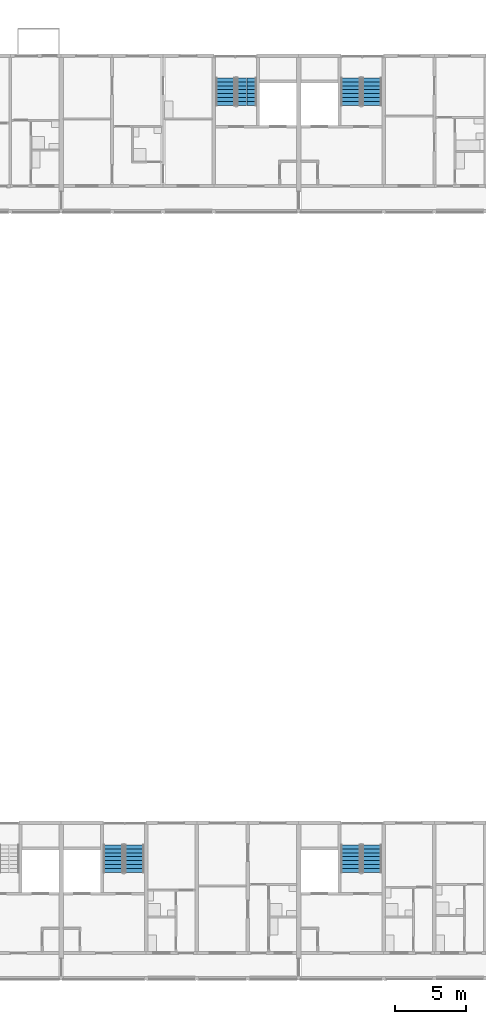
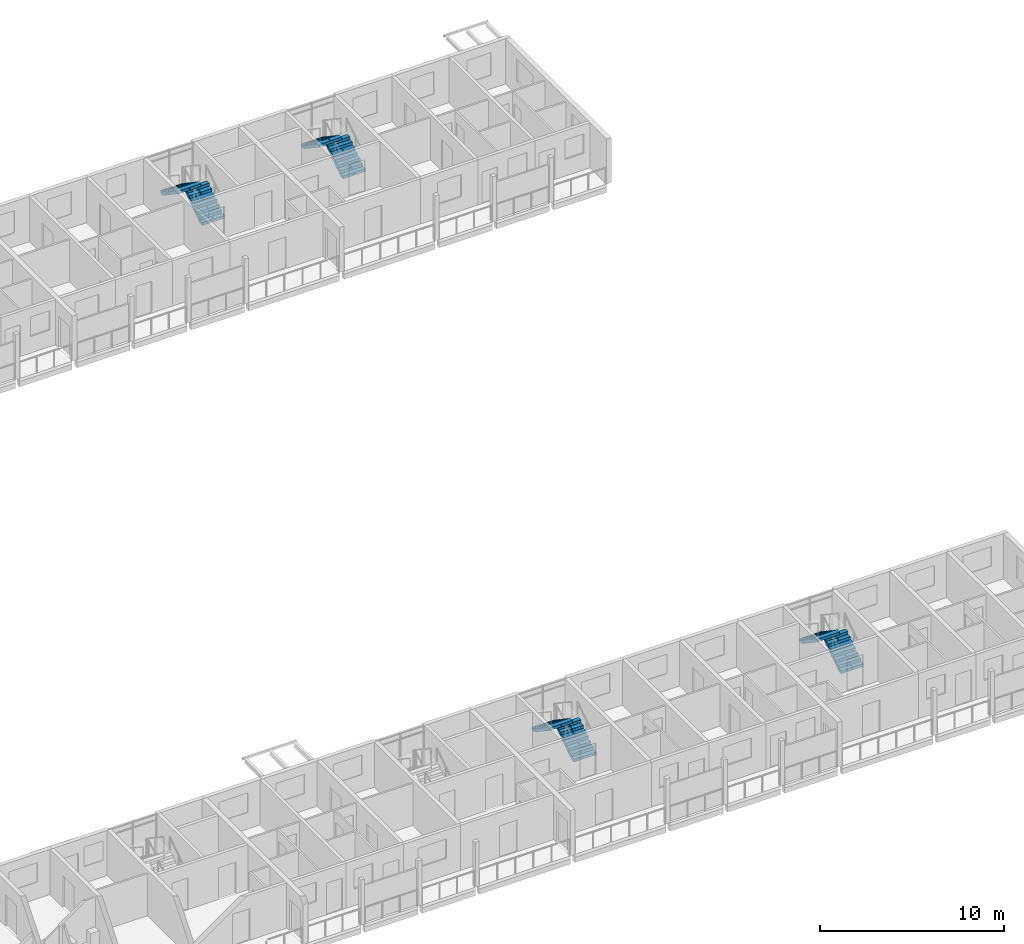
# One storey, part 63 of 98: 8 stair flights, 4 elements without a shape of their own.
"""IFC4 building model written with IfcOpenShell, lengths in metres."""

from ifc_helpers import new_model, si_unit, direction, frame, origin, place, context, subcontext, project, spatial, polyline, outline, extrude, material, type_object, element, aggregate, save


model = new_model("IFC4")

# Units and contexts
model_context = context("Model", 3, precision=1e-05, world=origin(), true_north=direction((0.0, 1.0)))
body_context = subcontext(model_context, "Body", "Model", "MODEL_VIEW")
ifc_project = project(units=[si_unit("LENGTHUNIT", "METRE"), si_unit("AREAUNIT", "SQUARE_METRE"), si_unit("VOLUMEUNIT", "CUBIC_METRE"), si_unit("PLANEANGLEUNIT", "RADIAN"), si_unit("MASSUNIT", "GRAM", prefix="KILO")], contexts=[model_context])

# Site, building, storey
site_placement = place(None, origin())
site = spatial("IfcSite", under=ifc_project, at=site_placement, CompositionType="ELEMENT")
building_placement = place(site_placement, origin())
building = spatial("IfcBuilding", under=site, at=building_placement, Name="Ridgestep Commons", CompositionType="ELEMENT")
storey_placement = place(building_placement, frame((0.0, 0.0, 12.0)))
storey = spatial("IfcBuildingStorey", under=building, at=storey_placement, Name="L04", CompositionType="ELEMENT", Elevation=12.0)

# Stair, stair flights
ifc_material_1 = material(Name="Precast concrete C40/50", Category="concrete")
stair_type = type_object("IfcStairType", Name="Escape stair 1400", PredefinedType="HALF_TURN_STAIR", material=ifc_material_1)
stair_1_placement = place(storey_placement, origin())
stair_1 = element("IfcStair", 1, at=stair_1_placement, inside=storey, type_object=stair_type, Name="L04 Escape stair C5C", PredefinedType="HALF_TURN_STAIR")
ifc_material_2 = material(Name="Precast concrete C40/50", Category="concrete")
stair_flight_type = type_object("IfcStairFlightType", Name="Stair flight 1400", PredefinedType="STRAIGHT", material=ifc_material_2)
stair_flight_1_placement = place(storey_placement, frame((227.125, 73.60009765625, 0.0), z_axis=(0.0, 0.0, 1.0), x_axis=(0.0, 1.0, 0.0)))
stair_flight_1 = element("IfcStairFlight", 2, at=stair_flight_1_placement, type_object=stair_flight_type, Name="C5C flight 1", NumberOfRisers=8, NumberOfTreads=7, PredefinedType="STRAIGHT", RiserHeight=0.1875, TreadLength=0.28, context=body_context, shape_type="SweptSolid", body=[
    extrude(outline(polyline([(0.0, 0.0), (0.0, 0.1875), (0.280029296875, 0.1875), (0.280029296875, 0.375), (0.56005859375, 0.375), (0.56005859375, 0.5625), (0.840087890625, 0.5625), (0.840087890625, 0.75), (1.1201171875, 0.75), (1.1201171875, 0.9375), (1.39990234375, 0.9375), (1.39990234375, 1.125), (1.679931640625, 1.125), (1.679931640625, 1.3125), (1.9599609375, 1.3125), (1.9599609375, 1.5), (1.9599609375, 1.132080078125), (0.26953125, 0.0), (0.0, 0.0)])), frame((0.0, 0.699951171875, 0.0), z_axis=(0.0, -1.0, 0.0), x_axis=(1.0, 0.0, 0.0)), (0.0, 0.0, 1.0), 0.695068359375),
    extrude(outline(polyline([(0.0, 0.0), (0.0, 0.1875), (0.280029296875, 0.1875), (0.280029296875, 0.375), (0.56005859375, 0.375), (0.56005859375, 0.5625), (0.840087890625, 0.5625), (0.840087890625, 0.75), (1.1201171875, 0.75), (1.1201171875, 0.9375), (1.39990234375, 0.9375), (1.39990234375, 1.125), (1.679931640625, 1.125), (1.679931640625, 1.3125), (1.9599609375, 1.3125), (1.9599609375, 1.5), (1.9599609375, 1.132080078125), (0.26953125, 0.0), (0.0, 0.0)])), frame((0.0, -0.0048828125, 0.0), z_axis=(0.0, -1.0, 0.0), x_axis=(1.0, 0.0, 0.0)), (0.0, 0.0, 1.0), 0.695068359375),
])
stair_flight_2_placement = place(storey_placement, frame((225.625, 75.56005859375, 1.5), z_axis=(0.0, 0.0, 1.0), x_axis=(0.0, -1.0, 0.0)))
stair_flight_2 = element("IfcStairFlight", 3, at=stair_flight_2_placement, type_object=stair_flight_type, Name="C5C flight 2", NumberOfRisers=8, NumberOfTreads=7, PredefinedType="STRAIGHT", RiserHeight=0.1875, TreadLength=0.28, context=body_context, shape_type="SweptSolid", body=[
    extrude(outline(polyline([(0.0, 0.0), (0.0, 0.1875), (0.280029296875, 0.1875), (0.280029296875, 0.375), (0.56005859375, 0.375), (0.56005859375, 0.5625), (0.840087890625, 0.5625), (0.840087890625, 0.75), (1.1201171875, 0.75), (1.1201171875, 0.9375), (1.39990234375, 0.9375), (1.39990234375, 1.125), (1.679931640625, 1.125), (1.679931640625, 1.3125), (1.9599609375, 1.3125), (1.9599609375, 1.5), (1.9599609375, 1.132080078125), (0.26953125, 0.0), (0.0, 0.0)])), frame((0.0, 0.699951171875, 0.0), z_axis=(0.0, -1.0, 0.0), x_axis=(1.0, 0.0, 0.0)), (0.0, 0.0, 1.0), 0.695068359375),
    extrude(outline(polyline([(0.0, 0.0), (0.0, 0.1875), (0.280029296875, 0.1875), (0.280029296875, 0.375), (0.56005859375, 0.375), (0.56005859375, 0.5625), (0.840087890625, 0.5625), (0.840087890625, 0.75), (1.1201171875, 0.75), (1.1201171875, 0.9375), (1.39990234375, 0.9375), (1.39990234375, 1.125), (1.679931640625, 1.125), (1.679931640625, 1.3125), (1.9599609375, 1.3125), (1.9599609375, 1.5), (1.9599609375, 1.132080078125), (0.26953125, 0.0), (0.0, 0.0)])), frame((0.0, -0.0048828125, 0.0), z_axis=(0.0, -1.0, 0.0), x_axis=(1.0, 0.0, 0.0)), (0.0, 0.0, 1.0), 0.695068359375),
])
aggregate(stair_1, [stair_flight_1, stair_flight_2])

stair_2_placement = place(storey_placement, origin())
stair_2 = element("IfcStair", 4, at=stair_2_placement, inside=storey, type_object=stair_type, Name="L04 Escape stair C6C", PredefinedType="HALF_TURN_STAIR")
stair_flight_3_placement = place(storey_placement, frame((235.97509765625, 73.60009765625, 0.0), z_axis=(0.0, 0.0, 1.0), x_axis=(0.0, 1.0, 0.0)))
stair_flight_3 = element("IfcStairFlight", 5, at=stair_flight_3_placement, type_object=stair_flight_type, Name="C6C flight 1", NumberOfRisers=8, NumberOfTreads=7, PredefinedType="STRAIGHT", RiserHeight=0.1875, TreadLength=0.28, context=body_context, shape_type="SweptSolid", body=[
    extrude(outline(polyline([(0.0, 0.0), (0.0, 0.1875), (0.280029296875, 0.1875), (0.280029296875, 0.375), (0.56005859375, 0.375), (0.56005859375, 0.5625), (0.840087890625, 0.5625), (0.840087890625, 0.75), (1.1201171875, 0.75), (1.1201171875, 0.9375), (1.39990234375, 0.9375), (1.39990234375, 1.125), (1.679931640625, 1.125), (1.679931640625, 1.3125), (1.9599609375, 1.3125), (1.9599609375, 1.5), (1.9599609375, 1.132080078125), (0.26953125, 0.0), (0.0, 0.0)])), frame((0.0, 0.699951171875, 0.0), z_axis=(0.0, -1.0, 0.0), x_axis=(1.0, 0.0, 0.0)), (0.0, 0.0, 1.0), 0.695068359375),
    extrude(outline(polyline([(0.0, 0.0), (0.0, 0.1875), (0.280029296875, 0.1875), (0.280029296875, 0.375), (0.56005859375, 0.375), (0.56005859375, 0.5625), (0.840087890625, 0.5625), (0.840087890625, 0.75), (1.1201171875, 0.75), (1.1201171875, 0.9375), (1.39990234375, 0.9375), (1.39990234375, 1.125), (1.679931640625, 1.125), (1.679931640625, 1.3125), (1.9599609375, 1.3125), (1.9599609375, 1.5), (1.9599609375, 1.132080078125), (0.26953125, 0.0), (0.0, 0.0)])), frame((0.0, -0.0048828125, 0.0), z_axis=(0.0, -1.0, 0.0), x_axis=(1.0, 0.0, 0.0)), (0.0, 0.0, 1.0), 0.695068359375),
])
stair_flight_4_placement = place(storey_placement, frame((234.47509765625, 75.56005859375, 1.5), z_axis=(0.0, 0.0, 1.0), x_axis=(0.0, -1.0, 0.0)))
stair_flight_4 = element("IfcStairFlight", 6, at=stair_flight_4_placement, type_object=stair_flight_type, Name="C6C flight 2", NumberOfRisers=8, NumberOfTreads=7, PredefinedType="STRAIGHT", RiserHeight=0.1875, TreadLength=0.28, context=body_context, shape_type="SweptSolid", body=[
    extrude(outline(polyline([(0.0, 0.0), (0.0, 0.1875), (0.280029296875, 0.1875), (0.280029296875, 0.375), (0.56005859375, 0.375), (0.56005859375, 0.5625), (0.840087890625, 0.5625), (0.840087890625, 0.75), (1.1201171875, 0.75), (1.1201171875, 0.9375), (1.39990234375, 0.9375), (1.39990234375, 1.125), (1.679931640625, 1.125), (1.679931640625, 1.3125), (1.9599609375, 1.3125), (1.9599609375, 1.5), (1.9599609375, 1.132080078125), (0.26953125, 0.0), (0.0, 0.0)])), frame((0.0, 0.699951171875, 0.0), z_axis=(0.0, -1.0, 0.0), x_axis=(1.0, 0.0, 0.0)), (0.0, 0.0, 1.0), 0.695068359375),
    extrude(outline(polyline([(0.0, 0.0), (0.0, 0.1875), (0.280029296875, 0.1875), (0.280029296875, 0.375), (0.56005859375, 0.375), (0.56005859375, 0.5625), (0.840087890625, 0.5625), (0.840087890625, 0.75), (1.1201171875, 0.75), (1.1201171875, 0.9375), (1.39990234375, 0.9375), (1.39990234375, 1.125), (1.679931640625, 1.125), (1.679931640625, 1.3125), (1.9599609375, 1.3125), (1.9599609375, 1.5), (1.9599609375, 1.132080078125), (0.26953125, 0.0), (0.0, 0.0)])), frame((0.0, -0.0048828125, 0.0), z_axis=(0.0, -1.0, 0.0), x_axis=(1.0, 0.0, 0.0)), (0.0, 0.0, 1.0), 0.695068359375),
])
aggregate(stair_2, [stair_flight_3, stair_flight_4])

stair_3_placement = place(storey_placement, origin())
stair_3 = element("IfcStair", 7, at=stair_3_placement, inside=storey, type_object=stair_type, Name="L04 Escape stair D5C", PredefinedType="HALF_TURN_STAIR")
stair_flight_5_placement = place(storey_placement, frame((219.175048828125, 19.35009765625, 0.0), z_axis=(0.0, 0.0, 1.0), x_axis=(0.0, 1.0, 0.0)))
stair_flight_5 = element("IfcStairFlight", 8, at=stair_flight_5_placement, type_object=stair_flight_type, Name="D5C flight 1", NumberOfRisers=8, NumberOfTreads=7, PredefinedType="STRAIGHT", RiserHeight=0.1875, TreadLength=0.28, context=body_context, shape_type="SweptSolid", body=[
    extrude(outline(polyline([(0.0, 0.0), (0.0, 0.1875), (0.280029296875, 0.1875), (0.280029296875, 0.375), (0.56005859375, 0.375), (0.56005859375, 0.5625), (0.840087890625, 0.5625), (0.840087890625, 0.75), (1.1201171875, 0.75), (1.1201171875, 0.9375), (1.39990234375, 0.9375), (1.39990234375, 1.125), (1.679931640625, 1.125), (1.679931640625, 1.3125), (1.9599609375, 1.3125), (1.9599609375, 1.5), (1.9599609375, 1.132080078125), (0.26953125, 0.0), (0.0, 0.0)])), frame((0.0, 0.699951171875, 0.0), z_axis=(0.0, -1.0, 0.0), x_axis=(1.0, 0.0, 0.0)), (0.0, 0.0, 1.0), 0.695068359375),
    extrude(outline(polyline([(0.0, 0.0), (0.0, 0.1875), (0.280029296875, 0.1875), (0.280029296875, 0.375), (0.56005859375, 0.375), (0.56005859375, 0.5625), (0.840087890625, 0.5625), (0.840087890625, 0.75), (1.1201171875, 0.75), (1.1201171875, 0.9375), (1.39990234375, 0.9375), (1.39990234375, 1.125), (1.679931640625, 1.125), (1.679931640625, 1.3125), (1.9599609375, 1.3125), (1.9599609375, 1.5), (1.9599609375, 1.132080078125), (0.26953125, 0.0), (0.0, 0.0)])), frame((0.0, -0.0048828125, 0.0), z_axis=(0.0, -1.0, 0.0), x_axis=(1.0, 0.0, 0.0)), (0.0, 0.0, 1.0), 0.695068359375),
])
stair_flight_6_placement = place(storey_placement, frame((217.675048828125, 21.31005859375, 1.5), z_axis=(0.0, 0.0, 1.0), x_axis=(0.0, -1.0, 0.0)))
stair_flight_6 = element("IfcStairFlight", 9, at=stair_flight_6_placement, type_object=stair_flight_type, Name="D5C flight 2", NumberOfRisers=8, NumberOfTreads=7, PredefinedType="STRAIGHT", RiserHeight=0.1875, TreadLength=0.28, context=body_context, shape_type="SweptSolid", body=[
    extrude(outline(polyline([(0.0, 0.0), (0.0, 0.1875), (0.280029296875, 0.1875), (0.280029296875, 0.375), (0.56005859375, 0.375), (0.56005859375, 0.5625), (0.840087890625, 0.5625), (0.840087890625, 0.75), (1.1201171875, 0.75), (1.1201171875, 0.9375), (1.39990234375, 0.9375), (1.39990234375, 1.125), (1.679931640625, 1.125), (1.679931640625, 1.3125), (1.9599609375, 1.3125), (1.9599609375, 1.5), (1.9599609375, 1.132080078125), (0.26953125, 0.0), (0.0, 0.0)])), frame((0.0, 0.699951171875, 0.0), z_axis=(0.0, -1.0, 0.0), x_axis=(1.0, 0.0, 0.0)), (0.0, 0.0, 1.0), 0.695068359375),
    extrude(outline(polyline([(0.0, 0.0), (0.0, 0.1875), (0.280029296875, 0.1875), (0.280029296875, 0.375), (0.56005859375, 0.375), (0.56005859375, 0.5625), (0.840087890625, 0.5625), (0.840087890625, 0.75), (1.1201171875, 0.75), (1.1201171875, 0.9375), (1.39990234375, 0.9375), (1.39990234375, 1.125), (1.679931640625, 1.125), (1.679931640625, 1.3125), (1.9599609375, 1.3125), (1.9599609375, 1.5), (1.9599609375, 1.132080078125), (0.26953125, 0.0), (0.0, 0.0)])), frame((0.0, -0.0048828125, 0.0), z_axis=(0.0, -1.0, 0.0), x_axis=(1.0, 0.0, 0.0)), (0.0, 0.0, 1.0), 0.695068359375),
])
aggregate(stair_3, [stair_flight_5, stair_flight_6])

stair_4_placement = place(storey_placement, origin())
stair_4 = element("IfcStair", 10, at=stair_4_placement, inside=storey, type_object=stair_type, Name="L04 Escape stair D6C", PredefinedType="HALF_TURN_STAIR")
stair_flight_7_placement = place(storey_placement, frame((235.97509765625, 19.35009765625, 0.0), z_axis=(0.0, 0.0, 1.0), x_axis=(0.0, 1.0, 0.0)))
stair_flight_7 = element("IfcStairFlight", 11, at=stair_flight_7_placement, type_object=stair_flight_type, Name="D6C flight 1", NumberOfRisers=8, NumberOfTreads=7, PredefinedType="STRAIGHT", RiserHeight=0.1875, TreadLength=0.28, context=body_context, shape_type="SweptSolid", body=[
    extrude(outline(polyline([(0.0, 0.0), (0.0, 0.1875), (0.280029296875, 0.1875), (0.280029296875, 0.375), (0.56005859375, 0.375), (0.56005859375, 0.5625), (0.840087890625, 0.5625), (0.840087890625, 0.75), (1.1201171875, 0.75), (1.1201171875, 0.9375), (1.39990234375, 0.9375), (1.39990234375, 1.125), (1.679931640625, 1.125), (1.679931640625, 1.3125), (1.9599609375, 1.3125), (1.9599609375, 1.5), (1.9599609375, 1.132080078125), (0.26953125, 0.0), (0.0, 0.0)])), frame((0.0, 0.699951171875, 0.0), z_axis=(0.0, -1.0, 0.0), x_axis=(1.0, 0.0, 0.0)), (0.0, 0.0, 1.0), 0.695068359375),
    extrude(outline(polyline([(0.0, 0.0), (0.0, 0.1875), (0.280029296875, 0.1875), (0.280029296875, 0.375), (0.56005859375, 0.375), (0.56005859375, 0.5625), (0.840087890625, 0.5625), (0.840087890625, 0.75), (1.1201171875, 0.75), (1.1201171875, 0.9375), (1.39990234375, 0.9375), (1.39990234375, 1.125), (1.679931640625, 1.125), (1.679931640625, 1.3125), (1.9599609375, 1.3125), (1.9599609375, 1.5), (1.9599609375, 1.132080078125), (0.26953125, 0.0), (0.0, 0.0)])), frame((0.0, -0.0048828125, 0.0), z_axis=(0.0, -1.0, 0.0), x_axis=(1.0, 0.0, 0.0)), (0.0, 0.0, 1.0), 0.695068359375),
])
stair_flight_8_placement = place(storey_placement, frame((234.47509765625, 21.31005859375, 1.5), z_axis=(0.0, 0.0, 1.0), x_axis=(0.0, -1.0, 0.0)))
stair_flight_8 = element("IfcStairFlight", 12, at=stair_flight_8_placement, type_object=stair_flight_type, Name="D6C flight 2", NumberOfRisers=8, NumberOfTreads=7, PredefinedType="STRAIGHT", RiserHeight=0.1875, TreadLength=0.28, context=body_context, shape_type="SweptSolid", body=[
    extrude(outline(polyline([(0.0, 0.0), (0.0, 0.1875), (0.280029296875, 0.1875), (0.280029296875, 0.375), (0.56005859375, 0.375), (0.56005859375, 0.5625), (0.840087890625, 0.5625), (0.840087890625, 0.75), (1.1201171875, 0.75), (1.1201171875, 0.9375), (1.39990234375, 0.9375), (1.39990234375, 1.125), (1.679931640625, 1.125), (1.679931640625, 1.3125), (1.9599609375, 1.3125), (1.9599609375, 1.5), (1.9599609375, 1.132080078125), (0.26953125, 0.0), (0.0, 0.0)])), frame((0.0, 0.699951171875, 0.0), z_axis=(0.0, -1.0, 0.0), x_axis=(1.0, 0.0, 0.0)), (0.0, 0.0, 1.0), 0.695068359375),
    extrude(outline(polyline([(0.0, 0.0), (0.0, 0.1875), (0.280029296875, 0.1875), (0.280029296875, 0.375), (0.56005859375, 0.375), (0.56005859375, 0.5625), (0.840087890625, 0.5625), (0.840087890625, 0.75), (1.1201171875, 0.75), (1.1201171875, 0.9375), (1.39990234375, 0.9375), (1.39990234375, 1.125), (1.679931640625, 1.125), (1.679931640625, 1.3125), (1.9599609375, 1.3125), (1.9599609375, 1.5), (1.9599609375, 1.132080078125), (0.26953125, 0.0), (0.0, 0.0)])), frame((0.0, -0.0048828125, 0.0), z_axis=(0.0, -1.0, 0.0), x_axis=(1.0, 0.0, 0.0)), (0.0, 0.0, 1.0), 0.695068359375),
])
aggregate(stair_4, [stair_flight_7, stair_flight_8])

save(model, "model.ifc")
